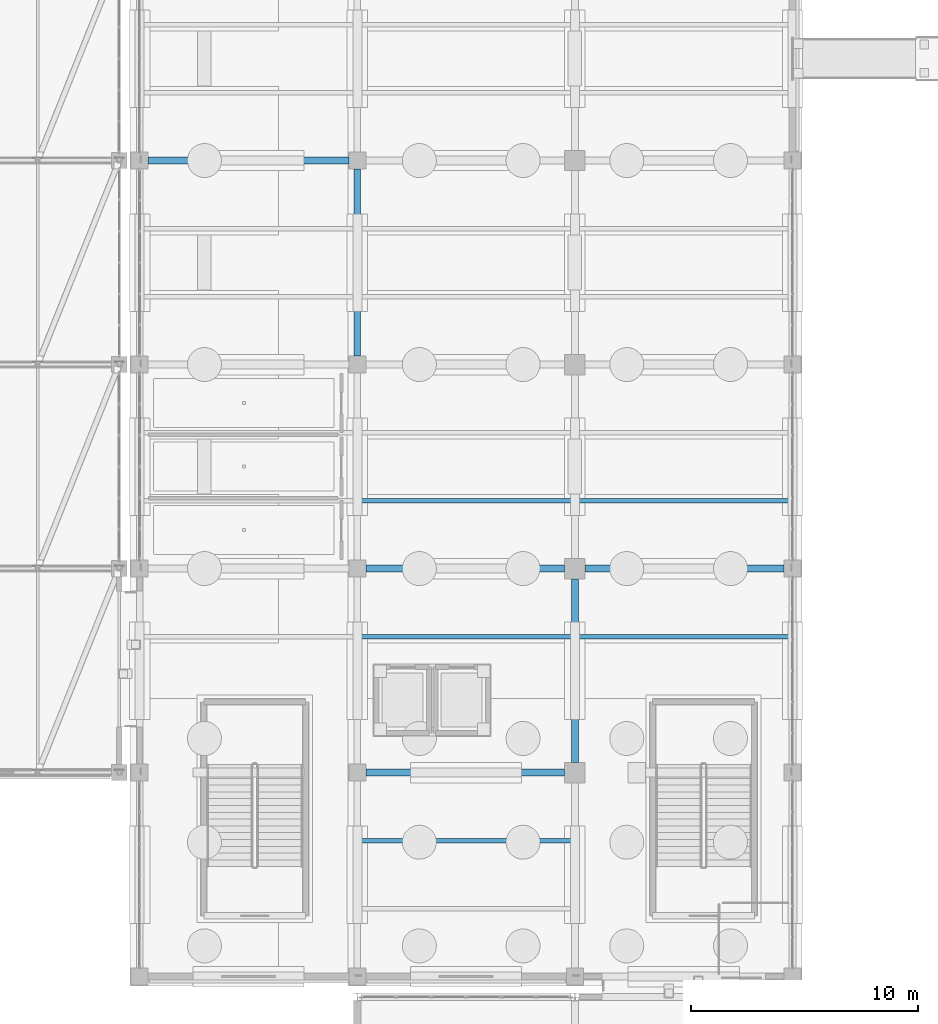
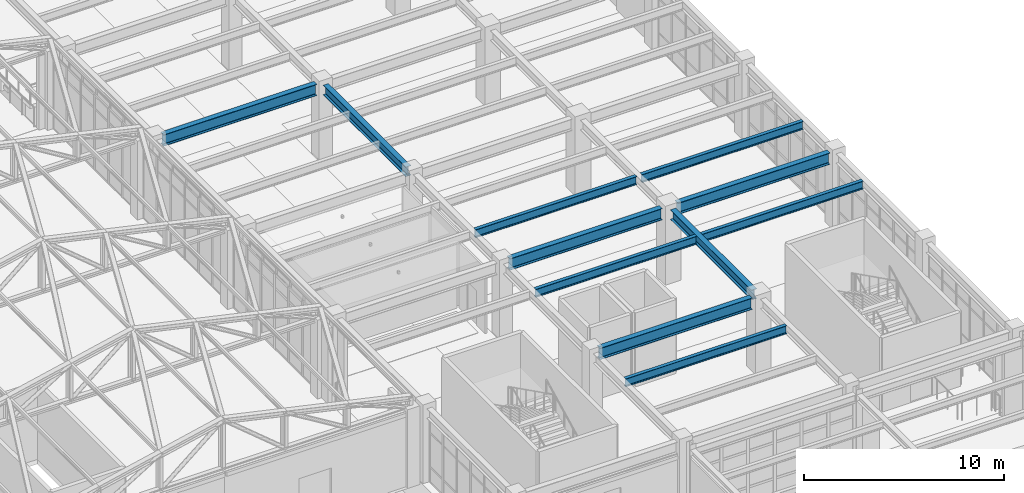
# One storey, part 51 of 139: 11 beams.
"""IFC4 building model written with IfcOpenShell, lengths in metres."""

from ifc_helpers import new_model, si_unit, direction, frame, origin, origin_2d, place, context, subcontext, project, spatial, i_section, extrude, material, material_profile, profile_set, type_object, element, save


model = new_model("IFC4")

# Units and contexts
model_context = context("Model", 3, precision=1e-05, world=origin(), true_north=direction((0.0, 1.0)))
body_context = subcontext(model_context, "Body", "Model", "MODEL_VIEW")
ifc_project = project(units=[si_unit("LENGTHUNIT", "METRE"), si_unit("AREAUNIT", "SQUARE_METRE"), si_unit("VOLUMEUNIT", "CUBIC_METRE"), si_unit("PLANEANGLEUNIT", "RADIAN"), si_unit("MASSUNIT", "GRAM", prefix="KILO")], contexts=[model_context])

# Site, building, storey
site_placement = place(None, origin())
site = spatial("IfcSite", under=ifc_project, at=site_placement, CompositionType="ELEMENT")
building_placement = place(site_placement, origin())
building = spatial("IfcBuilding", under=site, at=building_placement, Name="Canglan Escarpment Cableway Terminal", CompositionType="ELEMENT")
storey_placement = place(building_placement, frame((0.0, 0.0, 14.39990234375)))
storey = spatial("IfcBuildingStorey", under=building, at=storey_placement, Name="L03", CompositionType="ELEMENT", Elevation=14.39990234375)

# Beams
ifc_material_1 = material(Name="Steel Q355C", Category="steel")
ifc_material_profile_1 = material_profile(ifc_material_1, i_section(OverallWidth=0.302001953125, OverallDepth=0.593994140625, WebThickness=0.013916015625, FlangeThickness=0.02294921875, FilletRadius=0.028076171875, at=origin_2d()), Name="HM 594x302x14x23")
ifc_profile_set_1 = profile_set([ifc_material_profile_1], Name="Steel Q355C")
beam_type_1 = type_object("IfcBeamType", Name="BM-HM594", PredefinedType="BEAM", material=ifc_profile_set_1)
beam_1_placement = place(storey_placement, frame((147.199951171875, 61.375, 4.203125), z_axis=(0.0, 1.0, 0.0), x_axis=(-1.0, 0.0, 0.0)))
element("IfcBeam", 1, at=beam_1_placement, inside=storey, type_object=beam_type_1, Name="Primary transverse girder B-07", PredefinedType="BEAM", context=body_context, shape_type="SweptSolid", body=[
    extrude(i_section(OverallWidth=0.302001953125, OverallDepth=0.593994140625, WebThickness=0.013916015625, FlangeThickness=0.02294921875, FilletRadius=0.028076171875, at=origin_2d()), origin(), (0.0, 0.0, 1.0), 8.25),
])
beam_2_placement = place(storey_placement, frame((156.800048828125, 43.449951171875, 4.203125), z_axis=(0.0, 1.0, 0.0), x_axis=(-1.0, 0.0, 0.0)))
element("IfcBeam", 2, at=beam_2_placement, inside=storey, type_object=beam_type_1, Name="Primary transverse girder B-07", PredefinedType="BEAM", context=body_context, shape_type="SweptSolid", body=[
    extrude(i_section(OverallWidth=0.302001953125, OverallDepth=0.593994140625, WebThickness=0.013916015625, FlangeThickness=0.02294921875, FilletRadius=0.028076171875, at=origin_2d()), origin(), (0.0, 0.0, 1.0), 8.10009765625),
])
ifc_material_profile_2 = material_profile(ifc_material_1, i_section(OverallWidth=0.300048828125, OverallDepth=0.699951171875, WebThickness=0.012939453125, FlangeThickness=0.02392578125, FilletRadius=0.028076171875, at=origin_2d()), Name="HN 700x300x13x24")
ifc_profile_set_2 = profile_set([ifc_material_profile_2], Name="Steel Q355C")
beam_type_2 = type_object("IfcBeamType", Name="BM-HN700", PredefinedType="BEAM", material=ifc_profile_set_2)
for number, where, z_axis, x_axis, name in (
    (3, (147.574951171875, 43.0, 4.150146484375), (1.0, 0.0, 0.0), (0.0, 1.0, 0.0), "Primary structural girder B-06"),
    (4, (147.574951171875, 52.0, 4.150146484375), (1.0, 0.0, 0.0), (0.0, 1.0, 0.0), "Primary structural girder B-06"),
):
    element("IfcBeam", number, at=place(storey_placement, frame(where, z_axis=z_axis, x_axis=x_axis)), inside=storey, type_object=beam_type_2, Name=name, PredefinedType="BEAM", context=body_context, shape_type="SweptSolid", body=[
        extrude(i_section(OverallWidth=0.300048828125, OverallDepth=0.699951171875, WebThickness=0.012939453125, FlangeThickness=0.02392578125, FilletRadius=0.028076171875, at=origin_2d()), origin(), (0.0, 0.0, 1.0), 8.775146484375),
    ])
beam_3_placement = place(storey_placement, frame((157.25, 52.0, 4.150146484375), z_axis=(1.0, 0.0, 0.0), x_axis=(0.0, 1.0, 0.0)))
element("IfcBeam", 5, at=beam_3_placement, inside=storey, type_object=beam_type_2, Name="Primary structural girder B-06", PredefinedType="BEAM", context=body_context, shape_type="SweptSolid", body=[
    extrude(i_section(OverallWidth=0.300048828125, OverallDepth=0.699951171875, WebThickness=0.012939453125, FlangeThickness=0.02392578125, FilletRadius=0.028076171875, at=origin_2d()), origin(), (0.0, 0.0, 1.0), 8.77490234375),
])
beam_4_placement = place(storey_placement, frame((137.97509765625, 70.0, 4.150146484375), z_axis=(1.0, 0.0, 0.0), x_axis=(0.0, 1.0, 0.0)))
element("IfcBeam", 6, at=beam_4_placement, inside=storey, type_object=beam_type_2, Name="Primary structural girder B-06", PredefinedType="BEAM", context=body_context, shape_type="SweptSolid", body=[
    extrude(i_section(OverallWidth=0.300048828125, OverallDepth=0.699951171875, WebThickness=0.012939453125, FlangeThickness=0.02392578125, FilletRadius=0.028076171875, at=origin_2d()), origin(), (0.0, 0.0, 1.0), 8.849853515625),
])
ifc_material_2 = material(Name="Steel Q355B", Category="steel")
ifc_material_profile_3 = material_profile(ifc_material_2, i_section(OverallWidth=0.199951171875, OverallDepth=0.5, WebThickness=0.010009765625, FlangeThickness=0.01611328125, FilletRadius=0.02001953125, at=origin_2d()), Name="HN 500x200x10x16")
ifc_profile_set_3 = profile_set([ifc_material_profile_3], Name="Steel Q355B")
beam_type_3 = type_object("IfcBeamType", Name="JS-HN500", PredefinedType="JOIST", material=ifc_profile_set_3)
for number, where, z_axis, x_axis, name in (
    (7, (147.35107421875, 40.0, 4.25), (1.0, 0.0, 0.0), (0.0, 1.0, 0.0), "Secondary composite deck joist J-01"),
    (8, (147.35107421875, 49.0, 4.25), (1.0, 0.0, 0.0), (0.0, 1.0, 0.0), "Secondary composite deck joist J-01"),
    (9, (147.35107421875, 55.0, 4.25), (1.0, 0.0, 0.0), (0.0, 1.0, 0.0), "Secondary composite deck joist J-01"),
):
    element("IfcBeam", number, at=place(storey_placement, frame(where, z_axis=z_axis, x_axis=x_axis)), inside=storey, type_object=beam_type_3, Name=name, PredefinedType="JOIST", context=body_context, shape_type="SweptSolid", body=[
        extrude(i_section(OverallWidth=0.199951171875, OverallDepth=0.5, WebThickness=0.010009765625, FlangeThickness=0.01611328125, FilletRadius=0.02001953125, at=origin_2d()), origin(), (0.0, 0.0, 1.0), 9.2978515625),
    ])
for number, where, z_axis, x_axis, name in (
    (10, (156.950927734375, 49.0, 4.25), (1.0, 0.0, 0.0), (0.0, 1.0, 0.0), "Secondary composite deck joist J-01"),
    (11, (156.950927734375, 55.0, 4.25), (1.0, 0.0, 0.0), (0.0, 1.0, 0.0), "Secondary composite deck joist J-01"),
):
    element("IfcBeam", number, at=place(storey_placement, frame(where, z_axis=z_axis, x_axis=x_axis)), inside=storey, type_object=beam_type_3, Name=name, PredefinedType="JOIST", context=body_context, shape_type="SweptSolid", body=[
        extrude(i_section(OverallWidth=0.199951171875, OverallDepth=0.5, WebThickness=0.010009765625, FlangeThickness=0.01611328125, FilletRadius=0.02001953125, at=origin_2d()), origin(), (0.0, 0.0, 1.0), 9.298095703125),
    ])

save(model, "model.ifc")
